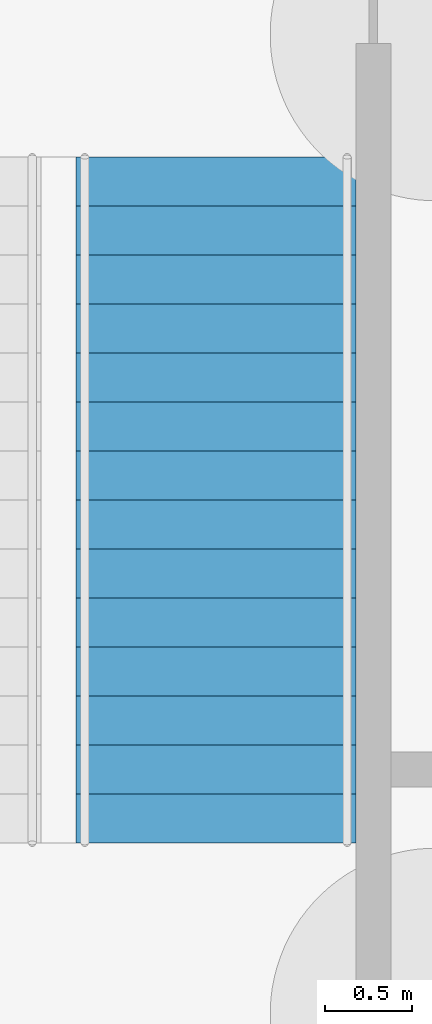
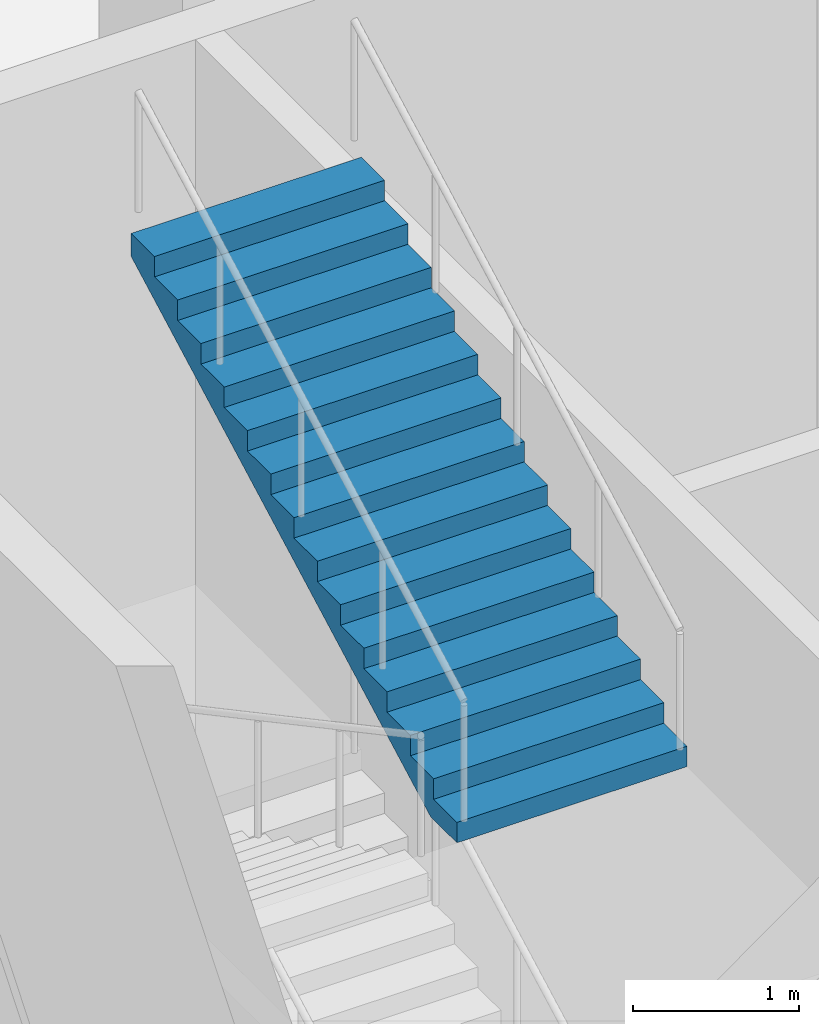
# One storey, part 91 of 113: 1 stair flight, 1 element without a shape of its own.
"""IFC4 building model written with IfcOpenShell, lengths in metres."""

from ifc_helpers import new_model, si_unit, direction, frame, origin, place, context, subcontext, project, spatial, triangles, material, type_object, element, aggregate, save


model = new_model("IFC4")

# Units and contexts
model_context = context("Model", 3, precision=1e-05, world=origin(), true_north=direction((0.0, 1.0)))
body_context = subcontext(model_context, "Body", "Model", "MODEL_VIEW")
ifc_project = project(units=[si_unit("LENGTHUNIT", "METRE"), si_unit("AREAUNIT", "SQUARE_METRE"), si_unit("VOLUMEUNIT", "CUBIC_METRE"), si_unit("PLANEANGLEUNIT", "RADIAN"), si_unit("MASSUNIT", "GRAM", prefix="KILO")], contexts=[model_context])

# Site, building, storey
site_placement = place(None, origin())
site = spatial("IfcSite", under=ifc_project, at=site_placement, CompositionType="ELEMENT")
building_placement = place(site_placement, origin())
building = spatial("IfcBuilding", under=site, at=building_placement, Name="Hakoniwa Tower and Hamabe Station Hall", CompositionType="ELEMENT")
storey_placement = place(building_placement, origin())
storey = spatial("IfcBuildingStorey", under=building, at=storey_placement, Name="L01", CompositionType="ELEMENT", Elevation=0.0)

# Stair, stair flight
ifc_material_1 = material(Name="Concrete C40", Category="concrete")
stair_type = type_object("IfcStairType", Name="STAIR 1600 15X150", PredefinedType="HALF_TURN_STAIR", material=ifc_material_1)
stair_placement = place(storey_placement, origin())
stair = element("IfcStair", 1, at=stair_placement, inside=storey, type_object=stair_type, Name="Escape stair SS3 L01", PredefinedType="HALF_TURN_STAIR")
ifc_material_2 = material(Name="Concrete C40", Category="concrete")
stair_flight_type = type_object("IfcStairFlightType", Name="STAIR FLIGHT 1600", PredefinedType="STRAIGHT", material=ifc_material_2)
stair_flight_placement = place(storey_placement, frame((89.25, -20.820068359375, 6.75), z_axis=(0.0, 0.0, 1.0), x_axis=(0.0, 1.0, 0.0)))
stair_flight = element("IfcStairFlight", 2, at=stair_flight_placement, type_object=stair_flight_type, Name="SS3 flight 4", NumberOfRisers=15, NumberOfTreads=14, PredefinedType="STRAIGHT", RiserHeight=0.15, TreadLength=0.28, context=body_context, shape_type="Tessellation", body=[
    triangles([(0.0, 0.800048828125, 0.0), (0.280029296875, 0.800048828125, 0.0), (0.3173828125, 0.800048828125, 0.0), (0.56005859375, 0.800048828125, 0.1298828125), (0.840087890625, 0.800048828125, 0.280029296875), (1.1201171875, 0.800048828125, 0.429931640625), (1.39990234375, 0.800048828125, 0.579833984375), (1.679931640625, 0.800048828125, 0.72998046875), (1.9599609375, 0.800048828125, 0.8798828125), (2.239990234375, 0.800048828125, 1.030029296875), (2.52001953125, 0.800048828125, 1.179931640625), (2.800048828125, 0.800048828125, 1.329833984375), (3.080078125, 0.800048828125, 1.47998046875), (3.360107421875, 0.800048828125, 1.6298828125), (3.639892578125, 0.800048828125, 1.780029296875), (3.919921875, 0.800048828125, 1.929931640625), (3.919921875, 0.800048828125, 2.10009765625), (3.639892578125, 0.800048828125, 2.10009765625), (3.639892578125, 0.800048828125, 1.949951171875), (3.360107421875, 0.800048828125, 1.949951171875), (3.360107421875, 0.800048828125, 1.800048828125), (3.080078125, 0.800048828125, 1.800048828125), (3.080078125, 0.800048828125, 1.64990234375), (2.800048828125, 0.800048828125, 1.64990234375), (2.800048828125, 0.800048828125, 1.5), (2.52001953125, 0.800048828125, 1.5), (2.52001953125, 0.800048828125, 1.35009765625), (2.239990234375, 0.800048828125, 1.35009765625), (2.239990234375, 0.800048828125, 1.199951171875), (1.9599609375, 0.800048828125, 1.199951171875), (1.9599609375, 0.800048828125, 1.050048828125), (1.679931640625, 0.800048828125, 1.050048828125), (1.679931640625, 0.800048828125, 0.89990234375), (1.39990234375, 0.800048828125, 0.89990234375), (1.39990234375, 0.800048828125, 0.75), (1.1201171875, 0.800048828125, 0.75), (1.1201171875, 0.800048828125, 0.60009765625), (0.840087890625, 0.800048828125, 0.60009765625), (0.840087890625, 0.800048828125, 0.449951171875), (0.56005859375, 0.800048828125, 0.449951171875), (0.56005859375, 0.800048828125, 0.300048828125), (0.3173828125, 0.800048828125, 0.300048828125), (0.280029296875, 0.800048828125, 0.300048828125), (0.280029296875, 0.800048828125, 0.14990234375), (0.0, 0.800048828125, 0.14990234375), (0.0, 0.06005859375, 0.0), (0.280029296875, 0.06005859375, 0.0), (0.3173828125, 0.06005859375, 0.0), (0.56005859375, 0.06005859375, 0.1298828125), (0.840087890625, 0.06005859375, 0.280029296875), (1.1201171875, 0.06005859375, 0.429931640625), (1.39990234375, 0.06005859375, 0.579833984375), (1.679931640625, 0.06005859375, 0.72998046875), (1.9599609375, 0.06005859375, 0.8798828125), (2.239990234375, 0.06005859375, 1.030029296875), (2.52001953125, 0.06005859375, 1.179931640625), (2.800048828125, 0.06005859375, 1.329833984375), (3.080078125, 0.06005859375, 1.47998046875), (3.360107421875, 0.06005859375, 1.6298828125), (3.639892578125, 0.06005859375, 1.780029296875), (3.919921875, 0.06005859375, 1.929931640625), (3.919921875, 0.06005859375, 2.10009765625), (3.639892578125, 0.06005859375, 2.10009765625), (3.639892578125, 0.06005859375, 1.949951171875), (3.360107421875, 0.06005859375, 1.949951171875), (3.360107421875, 0.06005859375, 1.800048828125), (3.080078125, 0.06005859375, 1.800048828125), (3.080078125, 0.06005859375, 1.64990234375), (2.800048828125, 0.06005859375, 1.64990234375), (2.800048828125, 0.06005859375, 1.5), (2.52001953125, 0.06005859375, 1.5), (2.52001953125, 0.06005859375, 1.35009765625), (2.239990234375, 0.06005859375, 1.35009765625), (2.239990234375, 0.06005859375, 1.199951171875), (1.9599609375, 0.06005859375, 1.199951171875), (1.9599609375, 0.06005859375, 1.050048828125), (1.679931640625, 0.06005859375, 1.050048828125), (1.679931640625, 0.06005859375, 0.89990234375), (1.39990234375, 0.06005859375, 0.89990234375), (1.39990234375, 0.06005859375, 0.75), (1.1201171875, 0.06005859375, 0.75), (1.1201171875, 0.06005859375, 0.60009765625), (0.840087890625, 0.06005859375, 0.60009765625), (0.840087890625, 0.06005859375, 0.449951171875), (0.56005859375, 0.06005859375, 0.449951171875), (0.56005859375, 0.06005859375, 0.300048828125), (0.3173828125, 0.06005859375, 0.300048828125), (0.280029296875, 0.06005859375, 0.300048828125), (0.280029296875, 0.06005859375, 0.14990234375), (0.0, 0.06005859375, 0.14990234375), (0.0, 0.02001953125, 0.0), (0.280029296875, 0.02001953125, 0.0), (0.3173828125, 0.02001953125, 0.0), (0.56005859375, 0.02001953125, 0.1298828125), (0.840087890625, 0.02001953125, 0.280029296875), (1.1201171875, 0.02001953125, 0.429931640625), (1.39990234375, 0.02001953125, 0.579833984375), (1.679931640625, 0.02001953125, 0.72998046875), (1.9599609375, 0.02001953125, 0.8798828125), (2.239990234375, 0.02001953125, 1.030029296875), (2.52001953125, 0.02001953125, 1.179931640625), (2.800048828125, 0.02001953125, 1.329833984375), (3.080078125, 0.02001953125, 1.47998046875), (3.360107421875, 0.02001953125, 1.6298828125), (3.639892578125, 0.02001953125, 1.780029296875), (3.919921875, 0.02001953125, 1.929931640625), (3.919921875, 0.02001953125, 2.10009765625), (3.639892578125, 0.02001953125, 2.10009765625), (3.639892578125, 0.02001953125, 1.949951171875), (3.360107421875, 0.02001953125, 1.949951171875), (3.360107421875, 0.02001953125, 1.800048828125), (3.080078125, 0.02001953125, 1.800048828125), (3.080078125, 0.02001953125, 1.64990234375), (2.800048828125, 0.02001953125, 1.64990234375), (2.800048828125, 0.02001953125, 1.5), (2.52001953125, 0.02001953125, 1.5), (2.52001953125, 0.02001953125, 1.35009765625), (2.239990234375, 0.02001953125, 1.35009765625), (2.239990234375, 0.02001953125, 1.199951171875), (1.9599609375, 0.02001953125, 1.199951171875), (1.9599609375, 0.02001953125, 1.050048828125), (1.679931640625, 0.02001953125, 1.050048828125), (1.679931640625, 0.02001953125, 0.89990234375), (1.39990234375, 0.02001953125, 0.89990234375), (1.39990234375, 0.02001953125, 0.75), (1.1201171875, 0.02001953125, 0.75), (1.1201171875, 0.02001953125, 0.60009765625), (0.840087890625, 0.02001953125, 0.60009765625), (0.840087890625, 0.02001953125, 0.449951171875), (0.56005859375, 0.02001953125, 0.449951171875), (0.56005859375, 0.02001953125, 0.300048828125), (0.3173828125, 0.02001953125, 0.300048828125), (0.280029296875, 0.02001953125, 0.300048828125), (0.280029296875, 0.02001953125, 0.14990234375), (0.0, 0.02001953125, 0.14990234375), (0.0, -0.02001953125, 0.0), (0.280029296875, -0.02001953125, 0.0), (0.3173828125, -0.02001953125, 0.0), (0.56005859375, -0.02001953125, 0.1298828125), (0.840087890625, -0.02001953125, 0.280029296875), (1.1201171875, -0.02001953125, 0.429931640625), (1.39990234375, -0.02001953125, 0.579833984375), (1.679931640625, -0.02001953125, 0.72998046875), (1.9599609375, -0.02001953125, 0.8798828125), (2.239990234375, -0.02001953125, 1.030029296875), (2.52001953125, -0.02001953125, 1.179931640625), (2.800048828125, -0.02001953125, 1.329833984375), (3.080078125, -0.02001953125, 1.47998046875), (3.360107421875, -0.02001953125, 1.6298828125), (3.639892578125, -0.02001953125, 1.780029296875), (3.919921875, -0.02001953125, 1.929931640625), (3.919921875, -0.02001953125, 2.10009765625), (3.639892578125, -0.02001953125, 2.10009765625), (3.639892578125, -0.02001953125, 1.949951171875), (3.360107421875, -0.02001953125, 1.949951171875), (3.360107421875, -0.02001953125, 1.800048828125), (3.080078125, -0.02001953125, 1.800048828125), (3.080078125, -0.02001953125, 1.64990234375), (2.800048828125, -0.02001953125, 1.64990234375), (2.800048828125, -0.02001953125, 1.5), (2.52001953125, -0.02001953125, 1.5), (2.52001953125, -0.02001953125, 1.35009765625), (2.239990234375, -0.02001953125, 1.35009765625), (2.239990234375, -0.02001953125, 1.199951171875), (1.9599609375, -0.02001953125, 1.199951171875), (1.9599609375, -0.02001953125, 1.050048828125), (1.679931640625, -0.02001953125, 1.050048828125), (1.679931640625, -0.02001953125, 0.89990234375), (1.39990234375, -0.02001953125, 0.89990234375), (1.39990234375, -0.02001953125, 0.75), (1.1201171875, -0.02001953125, 0.75), (1.1201171875, -0.02001953125, 0.60009765625), (0.840087890625, -0.02001953125, 0.60009765625), (0.840087890625, -0.02001953125, 0.449951171875), (0.56005859375, -0.02001953125, 0.449951171875), (0.56005859375, -0.02001953125, 0.300048828125), (0.3173828125, -0.02001953125, 0.300048828125), (0.280029296875, -0.02001953125, 0.300048828125), (0.280029296875, -0.02001953125, 0.14990234375), (0.0, -0.02001953125, 0.14990234375), (0.0, -0.06005859375, 0.0), (0.280029296875, -0.06005859375, 0.0), (0.3173828125, -0.06005859375, 0.0), (0.56005859375, -0.06005859375, 0.1298828125), (0.840087890625, -0.06005859375, 0.280029296875), (1.1201171875, -0.06005859375, 0.429931640625), (1.39990234375, -0.06005859375, 0.579833984375), (1.679931640625, -0.06005859375, 0.72998046875), (1.9599609375, -0.06005859375, 0.8798828125), (2.239990234375, -0.06005859375, 1.030029296875), (2.52001953125, -0.06005859375, 1.179931640625), (2.800048828125, -0.06005859375, 1.329833984375), (3.080078125, -0.06005859375, 1.47998046875), (3.360107421875, -0.06005859375, 1.6298828125), (3.639892578125, -0.06005859375, 1.780029296875), (3.919921875, -0.06005859375, 1.929931640625), (3.919921875, -0.06005859375, 2.10009765625), (3.639892578125, -0.06005859375, 2.10009765625), (3.639892578125, -0.06005859375, 1.949951171875), (3.360107421875, -0.06005859375, 1.949951171875), (3.360107421875, -0.06005859375, 1.800048828125), (3.080078125, -0.06005859375, 1.800048828125), (3.080078125, -0.06005859375, 1.64990234375), (2.800048828125, -0.06005859375, 1.64990234375), (2.800048828125, -0.06005859375, 1.5), (2.52001953125, -0.06005859375, 1.5), (2.52001953125, -0.06005859375, 1.35009765625), (2.239990234375, -0.06005859375, 1.35009765625), (2.239990234375, -0.06005859375, 1.199951171875), (1.9599609375, -0.06005859375, 1.199951171875), (1.9599609375, -0.06005859375, 1.050048828125), (1.679931640625, -0.06005859375, 1.050048828125), (1.679931640625, -0.06005859375, 0.89990234375), (1.39990234375, -0.06005859375, 0.89990234375), (1.39990234375, -0.06005859375, 0.75), (1.1201171875, -0.06005859375, 0.75), (1.1201171875, -0.06005859375, 0.60009765625), (0.840087890625, -0.06005859375, 0.60009765625), (0.840087890625, -0.06005859375, 0.449951171875), (0.56005859375, -0.06005859375, 0.449951171875), (0.56005859375, -0.06005859375, 0.300048828125), (0.3173828125, -0.06005859375, 0.300048828125), (0.280029296875, -0.06005859375, 0.300048828125), (0.280029296875, -0.06005859375, 0.14990234375), (0.0, -0.06005859375, 0.14990234375), (0.0, -0.800048828125, 0.0), (0.280029296875, -0.800048828125, 0.0), (0.3173828125, -0.800048828125, 0.0), (0.56005859375, -0.800048828125, 0.1298828125), (0.840087890625, -0.800048828125, 0.280029296875), (1.1201171875, -0.800048828125, 0.429931640625), (1.39990234375, -0.800048828125, 0.579833984375), (1.679931640625, -0.800048828125, 0.72998046875), (1.9599609375, -0.800048828125, 0.8798828125), (2.239990234375, -0.800048828125, 1.030029296875), (2.52001953125, -0.800048828125, 1.179931640625), (2.800048828125, -0.800048828125, 1.329833984375), (3.080078125, -0.800048828125, 1.47998046875), (3.360107421875, -0.800048828125, 1.6298828125), (3.639892578125, -0.800048828125, 1.780029296875), (3.919921875, -0.800048828125, 1.929931640625), (3.919921875, -0.800048828125, 2.10009765625), (3.639892578125, -0.800048828125, 2.10009765625), (3.639892578125, -0.800048828125, 1.949951171875), (3.360107421875, -0.800048828125, 1.949951171875), (3.360107421875, -0.800048828125, 1.800048828125), (3.080078125, -0.800048828125, 1.800048828125), (3.080078125, -0.800048828125, 1.64990234375), (2.800048828125, -0.800048828125, 1.64990234375), (2.800048828125, -0.800048828125, 1.5), (2.52001953125, -0.800048828125, 1.5), (2.52001953125, -0.800048828125, 1.35009765625), (2.239990234375, -0.800048828125, 1.35009765625), (2.239990234375, -0.800048828125, 1.199951171875), (1.9599609375, -0.800048828125, 1.199951171875), (1.9599609375, -0.800048828125, 1.050048828125), (1.679931640625, -0.800048828125, 1.050048828125), (1.679931640625, -0.800048828125, 0.89990234375), (1.39990234375, -0.800048828125, 0.89990234375), (1.39990234375, -0.800048828125, 0.75), (1.1201171875, -0.800048828125, 0.75), (1.1201171875, -0.800048828125, 0.60009765625), (0.840087890625, -0.800048828125, 0.60009765625), (0.840087890625, -0.800048828125, 0.449951171875), (0.56005859375, -0.800048828125, 0.449951171875), (0.56005859375, -0.800048828125, 0.300048828125), (0.3173828125, -0.800048828125, 0.300048828125), (0.280029296875, -0.800048828125, 0.300048828125), (0.280029296875, -0.800048828125, 0.14990234375), (0.0, -0.800048828125, 0.14990234375)], [[2, 45, 44], [227, 269, 270], [2, 1, 45], [227, 270, 226], [3, 43, 42], [228, 267, 268], [3, 44, 43], [228, 268, 269], [3, 2, 44], [228, 269, 227], [4, 42, 41], [229, 266, 267], [4, 3, 42], [229, 267, 228], [5, 40, 39], [230, 264, 265], [5, 41, 40], [230, 265, 266], [5, 4, 41], [230, 266, 229], [6, 38, 37], [231, 262, 263], [6, 39, 38], [231, 263, 264], [6, 5, 39], [231, 264, 230], [7, 36, 35], [232, 260, 261], [7, 37, 36], [232, 261, 262], [7, 6, 37], [232, 262, 231], [8, 34, 33], [233, 258, 259], [8, 35, 34], [233, 259, 260], [8, 7, 35], [233, 260, 232], [9, 32, 31], [234, 256, 257], [9, 33, 32], [234, 257, 258], [9, 8, 33], [234, 258, 233], [10, 30, 29], [235, 254, 255], [10, 31, 30], [235, 255, 256], [10, 9, 31], [235, 256, 234], [11, 28, 27], [236, 252, 253], [11, 29, 28], [236, 253, 254], [11, 10, 29], [236, 254, 235], [12, 26, 25], [237, 250, 251], [12, 27, 26], [237, 251, 252], [12, 11, 27], [237, 252, 236], [13, 24, 23], [238, 248, 249], [13, 25, 24], [238, 249, 250], [13, 12, 25], [238, 250, 237], [14, 22, 21], [239, 246, 247], [14, 23, 22], [239, 247, 248], [14, 13, 23], [239, 248, 238], [15, 20, 19], [240, 244, 245], [15, 21, 20], [240, 245, 246], [15, 14, 21], [240, 246, 239], [16, 18, 17], [241, 242, 243], [16, 19, 18], [241, 243, 244], [16, 15, 19], [241, 244, 240], [1, 2, 47], [1, 47, 46], [46, 47, 92], [46, 92, 91], [91, 92, 137], [91, 137, 136], [136, 137, 182], [136, 182, 181], [181, 182, 227], [181, 227, 226], [2, 3, 48], [2, 48, 47], [47, 48, 93], [47, 93, 92], [92, 93, 138], [92, 138, 137], [137, 138, 183], [137, 183, 182], [182, 183, 228], [182, 228, 227], [3, 4, 49], [3, 49, 48], [48, 49, 94], [48, 94, 93], [93, 94, 139], [93, 139, 138], [138, 139, 184], [138, 184, 183], [183, 184, 229], [183, 229, 228], [4, 5, 50], [4, 50, 49], [49, 50, 95], [49, 95, 94], [94, 95, 140], [94, 140, 139], [139, 140, 185], [139, 185, 184], [184, 185, 230], [184, 230, 229], [5, 6, 51], [5, 51, 50], [50, 51, 96], [50, 96, 95], [95, 96, 141], [95, 141, 140], [140, 141, 186], [140, 186, 185], [185, 186, 231], [185, 231, 230], [6, 7, 52], [6, 52, 51], [51, 52, 97], [51, 97, 96], [96, 97, 142], [96, 142, 141], [141, 142, 187], [141, 187, 186], [186, 187, 232], [186, 232, 231], [7, 8, 53], [7, 53, 52], [52, 53, 98], [52, 98, 97], [97, 98, 143], [97, 143, 142], [142, 143, 188], [142, 188, 187], [187, 188, 233], [187, 233, 232], [8, 9, 54], [8, 54, 53], [53, 54, 99], [53, 99, 98], [98, 99, 144], [98, 144, 143], [143, 144, 189], [143, 189, 188], [188, 189, 234], [188, 234, 233], [9, 10, 55], [9, 55, 54], [54, 55, 100], [54, 100, 99], [99, 100, 145], [99, 145, 144], [144, 145, 190], [144, 190, 189], [189, 190, 235], [189, 235, 234], [10, 11, 56], [10, 56, 55], [55, 56, 101], [55, 101, 100], [100, 101, 146], [100, 146, 145], [145, 146, 191], [145, 191, 190], [190, 191, 236], [190, 236, 235], [11, 12, 57], [11, 57, 56], [56, 57, 102], [56, 102, 101], [101, 102, 147], [101, 147, 146], [146, 147, 192], [146, 192, 191], [191, 192, 237], [191, 237, 236], [12, 13, 58], [12, 58, 57], [57, 58, 103], [57, 103, 102], [102, 103, 148], [102, 148, 147], [147, 148, 193], [147, 193, 192], [192, 193, 238], [192, 238, 237], [13, 14, 59], [13, 59, 58], [58, 59, 104], [58, 104, 103], [103, 104, 149], [103, 149, 148], [148, 149, 194], [148, 194, 193], [193, 194, 239], [193, 239, 238], [14, 15, 60], [14, 60, 59], [59, 60, 105], [59, 105, 104], [104, 105, 150], [104, 150, 149], [149, 150, 195], [149, 195, 194], [194, 195, 240], [194, 240, 239], [15, 16, 61], [15, 61, 60], [60, 61, 106], [60, 106, 105], [105, 106, 151], [105, 151, 150], [150, 151, 196], [150, 196, 195], [195, 196, 241], [195, 241, 240], [16, 17, 62], [16, 62, 61], [61, 62, 107], [61, 107, 106], [106, 107, 152], [106, 152, 151], [151, 152, 197], [151, 197, 196], [196, 197, 242], [196, 242, 241], [17, 18, 63], [17, 63, 62], [62, 63, 108], [62, 108, 107], [107, 108, 153], [107, 153, 152], [152, 153, 198], [152, 198, 197], [197, 198, 243], [197, 243, 242], [18, 19, 64], [18, 64, 63], [63, 64, 109], [63, 109, 108], [108, 109, 154], [108, 154, 153], [153, 154, 199], [153, 199, 198], [198, 199, 244], [198, 244, 243], [19, 20, 65], [19, 65, 64], [64, 65, 110], [64, 110, 109], [109, 110, 155], [109, 155, 154], [154, 155, 200], [154, 200, 199], [199, 200, 245], [199, 245, 244], [20, 21, 66], [20, 66, 65], [65, 66, 111], [65, 111, 110], [110, 111, 156], [110, 156, 155], [155, 156, 201], [155, 201, 200], [200, 201, 246], [200, 246, 245], [21, 22, 67], [21, 67, 66], [66, 67, 112], [66, 112, 111], [111, 112, 157], [111, 157, 156], [156, 157, 202], [156, 202, 201], [201, 202, 247], [201, 247, 246], [22, 23, 68], [22, 68, 67], [67, 68, 113], [67, 113, 112], [112, 113, 158], [112, 158, 157], [157, 158, 203], [157, 203, 202], [202, 203, 248], [202, 248, 247], [23, 24, 69], [23, 69, 68], [68, 69, 114], [68, 114, 113], [113, 114, 159], [113, 159, 158], [158, 159, 204], [158, 204, 203], [203, 204, 249], [203, 249, 248], [24, 25, 70], [24, 70, 69], [69, 70, 115], [69, 115, 114], [114, 115, 160], [114, 160, 159], [159, 160, 205], [159, 205, 204], [204, 205, 250], [204, 250, 249], [25, 26, 71], [25, 71, 70], [70, 71, 116], [70, 116, 115], [115, 116, 161], [115, 161, 160], [160, 161, 206], [160, 206, 205], [205, 206, 251], [205, 251, 250], [26, 27, 72], [26, 72, 71], [71, 72, 117], [71, 117, 116], [116, 117, 162], [116, 162, 161], [161, 162, 207], [161, 207, 206], [206, 207, 252], [206, 252, 251], [27, 28, 73], [27, 73, 72], [72, 73, 118], [72, 118, 117], [117, 118, 163], [117, 163, 162], [162, 163, 208], [162, 208, 207], [207, 208, 253], [207, 253, 252], [28, 29, 74], [28, 74, 73], [73, 74, 119], [73, 119, 118], [118, 119, 164], [118, 164, 163], [163, 164, 209], [163, 209, 208], [208, 209, 254], [208, 254, 253], [29, 30, 75], [29, 75, 74], [74, 75, 120], [74, 120, 119], [119, 120, 165], [119, 165, 164], [164, 165, 210], [164, 210, 209], [209, 210, 255], [209, 255, 254], [30, 31, 76], [30, 76, 75], [75, 76, 121], [75, 121, 120], [120, 121, 166], [120, 166, 165], [165, 166, 211], [165, 211, 210], [210, 211, 256], [210, 256, 255], [31, 32, 77], [31, 77, 76], [76, 77, 122], [76, 122, 121], [121, 122, 167], [121, 167, 166], [166, 167, 212], [166, 212, 211], [211, 212, 257], [211, 257, 256], [32, 33, 78], [32, 78, 77], [77, 78, 123], [77, 123, 122], [122, 123, 168], [122, 168, 167], [167, 168, 213], [167, 213, 212], [212, 213, 258], [212, 258, 257], [33, 34, 79], [33, 79, 78], [78, 79, 124], [78, 124, 123], [123, 124, 169], [123, 169, 168], [168, 169, 214], [168, 214, 213], [213, 214, 259], [213, 259, 258], [34, 35, 80], [34, 80, 79], [79, 80, 125], [79, 125, 124], [124, 125, 170], [124, 170, 169], [169, 170, 215], [169, 215, 214], [214, 215, 260], [214, 260, 259], [35, 36, 81], [35, 81, 80], [80, 81, 126], [80, 126, 125], [125, 126, 171], [125, 171, 170], [170, 171, 216], [170, 216, 215], [215, 216, 261], [215, 261, 260], [36, 37, 82], [36, 82, 81], [81, 82, 127], [81, 127, 126], [126, 127, 172], [126, 172, 171], [171, 172, 217], [171, 217, 216], [216, 217, 262], [216, 262, 261], [37, 38, 83], [37, 83, 82], [82, 83, 128], [82, 128, 127], [127, 128, 173], [127, 173, 172], [172, 173, 218], [172, 218, 217], [217, 218, 263], [217, 263, 262], [38, 39, 84], [38, 84, 83], [83, 84, 129], [83, 129, 128], [128, 129, 174], [128, 174, 173], [173, 174, 219], [173, 219, 218], [218, 219, 264], [218, 264, 263], [39, 40, 85], [39, 85, 84], [84, 85, 130], [84, 130, 129], [129, 130, 175], [129, 175, 174], [174, 175, 220], [174, 220, 219], [219, 220, 265], [219, 265, 264], [40, 41, 86], [40, 86, 85], [85, 86, 131], [85, 131, 130], [130, 131, 176], [130, 176, 175], [175, 176, 221], [175, 221, 220], [220, 221, 266], [220, 266, 265], [41, 42, 87], [41, 87, 86], [86, 87, 132], [86, 132, 131], [131, 132, 177], [131, 177, 176], [176, 177, 222], [176, 222, 221], [221, 222, 267], [221, 267, 266], [42, 43, 88], [42, 88, 87], [87, 88, 133], [87, 133, 132], [132, 133, 178], [132, 178, 177], [177, 178, 223], [177, 223, 222], [222, 223, 268], [222, 268, 267], [43, 44, 89], [43, 89, 88], [88, 89, 134], [88, 134, 133], [133, 134, 179], [133, 179, 178], [178, 179, 224], [178, 224, 223], [223, 224, 269], [223, 269, 268], [44, 45, 90], [44, 90, 89], [89, 90, 135], [89, 135, 134], [134, 135, 180], [134, 180, 179], [179, 180, 225], [179, 225, 224], [224, 225, 270], [224, 270, 269], [45, 1, 46], [45, 46, 90], [90, 46, 91], [90, 91, 135], [135, 91, 136], [135, 136, 180], [180, 136, 181], [180, 181, 225], [225, 181, 226], [225, 226, 270]], closed=True),
])
aggregate(stair, [stair_flight])

save(model, "model.ifc")
